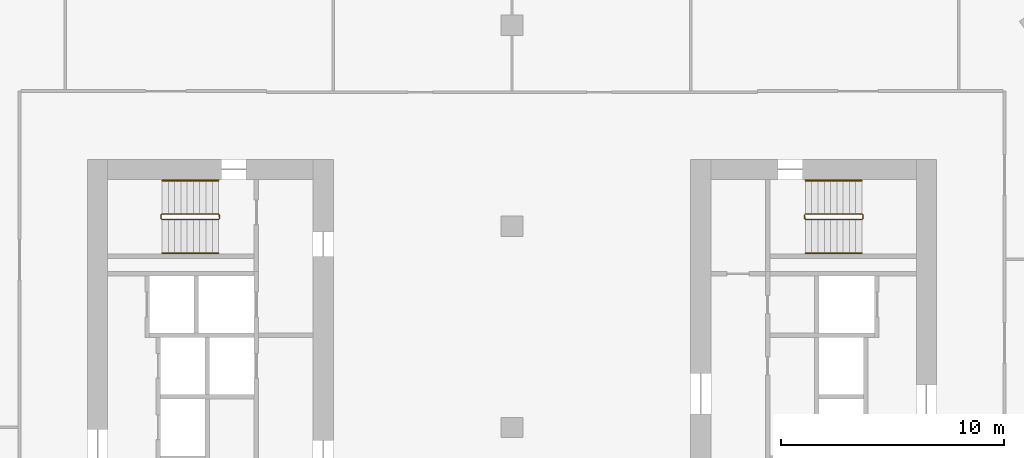
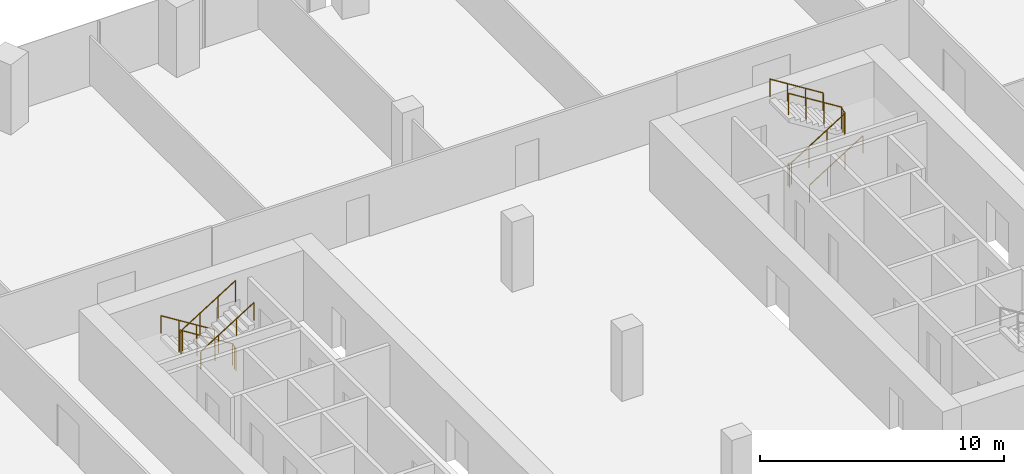
# One storey, part 26 of 27: 6 railings.
"""IFC4 building model written with IfcOpenShell, lengths in metres."""

from ifc_helpers import new_model, si_unit, direction, frame, origin, origin_2d, place, context, subcontext, project, spatial, circle, extrude, material, type_object, element, save


model = new_model("IFC4")

# Units and contexts
model_context = context("Model", 3, precision=1e-05, world=origin(), true_north=direction((0.0, 1.0)))
body_context = subcontext(model_context, "Body", "Model", "MODEL_VIEW")
ifc_project = project(units=[si_unit("LENGTHUNIT", "METRE"), si_unit("AREAUNIT", "SQUARE_METRE"), si_unit("VOLUMEUNIT", "CUBIC_METRE"), si_unit("PLANEANGLEUNIT", "RADIAN"), si_unit("MASSUNIT", "GRAM", prefix="KILO")], contexts=[model_context])

# Site, building, storey
site_placement = place(None, origin())
site = spatial("IfcSite", under=ifc_project, at=site_placement, CompositionType="ELEMENT")
building_placement = place(site_placement, origin())
building = spatial("IfcBuilding", under=site, at=building_placement, Name="Orlundy Tower", CompositionType="ELEMENT")
storey_placement = place(building_placement, frame((0.0, 0.0, 202.60009765625)))
storey = spatial("IfcBuildingStorey", under=building, at=storey_placement, Name="L53", CompositionType="ELEMENT", Elevation=202.60009765625)

# Railings
ifc_material_1 = material(Name="Steel balustrade", Category="steel")
railing_type_1 = type_object("IfcRailingType", Name="Stair Guard 1100", PredefinedType="GUARDRAIL", material=ifc_material_1)
railing_1_placement = place(storey_placement, frame((-13.090087890625, 9.5, 0.0)))
element("IfcRailing", 1, at=railing_1_placement, inside=storey, type_object=railing_type_1, Name="L53 ST-W1 stair guard 1", PredefinedType="GUARDRAIL", context=body_context, shape_type="SweptSolid", body=[
    extrude(circle(Radius=0.02392578125, at=origin_2d()), frame((0.0, 0.0, 1.076171875), z_axis=(0.0, -1.0, 0.0), x_axis=(1.0, 0.0, 0.0)), (0.0, 0.0, 1.0), 0.14990234375),
    extrude(circle(Radius=0.02392578125, at=origin_2d()), frame((0.0, -0.14990234375, 1.076171875), z_axis=(-0.184313129624, 0.739963005698, 0.646902945152), x_axis=(-0.970351222016, -0.241699205484, 0.0)), (0.0, 0.0, 1.0), 0.270263671875),
    extrude(circle(Radius=0.02392578125, at=origin_2d()), frame((-0.0498046875, 0.050048828125, 1.2509765625), z_axis=(-0.847970611238, 0.0, 0.530043245855), x_axis=(0.0, -1.0, 0.0)), (0.0, 0.0, 1.0), 2.971923828125),
    extrude(circle(Radius=0.02392578125, at=origin_2d()), frame((-2.56982421875, 0.050048828125, 2.826171875), z_axis=(-0.707106781187, -0.707106781187, 0.0), x_axis=(0.707106781187, -0.707106781187, 0.0)), (0.0, 0.0, 1.0), 0.07080078125),
    extrude(circle(Radius=0.02392578125, at=origin_2d()), frame((-2.619873046875, 0.0, 2.826171875), z_axis=(0.0, -1.0, 0.0), x_axis=(1.0, 0.0, 0.0)), (0.0, 0.0, 1.0), 0.14990234375),
    extrude(circle(Radius=0.02392578125, at=origin_2d()), frame((-2.619873046875, -0.14990234375, 2.826171875), z_axis=(0.265383341853, -0.265383341853, 0.926899867156), x_axis=(0.707106781187, 0.707106781187, 0.0)), (0.0, 0.0, 1.0), 0.1884765625),
    extrude(circle(Radius=0.02392578125, at=origin_2d()), frame((-2.56982421875, -0.199951171875, 3.0009765625), z_axis=(0.847970611238, 0.0, 0.530043245855), x_axis=(0.0, 1.0, 0.0)), (0.0, 0.0, 1.0), 2.971923828125),
    extrude(circle(Radius=0.02099609375, at=origin_2d()), origin(), (0.0, 0.0, 1.0), 1.052001953125),
    extrude(circle(Radius=0.02099609375, at=origin_2d()), frame((0.0, -0.14990234375, 0.0)), (0.0, 0.0, 1.0), 1.052001953125),
    extrude(circle(Radius=0.02099609375, at=origin_2d()), frame((-0.0498046875, 0.050048828125, 0.1748046875)), (0.0, 0.0, 1.0), 1.052001953125),
    extrude(circle(Radius=0.02099609375, at=origin_2d()), frame((-0.889892578125, 0.050048828125, 0.699951171875)), (0.0, 0.0, 1.0), 1.052001953125),
    extrude(circle(Radius=0.02099609375, at=origin_2d()), frame((-1.729736328125, 0.050048828125, 1.224853515625)), (0.0, 0.0, 1.0), 1.052001953125),
    extrude(circle(Radius=0.02099609375, at=origin_2d()), frame((-2.56982421875, 0.050048828125, 1.75)), (0.0, 0.0, 1.0), 1.052001953125),
    extrude(circle(Radius=0.02099609375, at=origin_2d()), frame((-2.619873046875, 0.0, 1.75)), (0.0, 0.0, 1.0), 1.052001953125),
    extrude(circle(Radius=0.02099609375, at=origin_2d()), frame((-2.619873046875, -0.14990234375, 1.75)), (0.0, 0.0, 1.0), 1.052001953125),
    extrude(circle(Radius=0.02099609375, at=origin_2d()), frame((-2.56982421875, -0.199951171875, 1.9248046875)), (0.0, 0.0, 1.0), 1.052001953125),
    extrude(circle(Radius=0.02099609375, at=origin_2d()), frame((-1.729736328125, -0.199951171875, 2.449951171875)), (0.0, 0.0, 1.0), 1.052001953125),
    extrude(circle(Radius=0.02099609375, at=origin_2d()), frame((-0.889892578125, -0.199951171875, 2.974853515625)), (0.0, 0.0, 1.0), 1.052001953125),
    extrude(circle(Radius=0.02099609375, at=origin_2d()), frame((-0.0498046875, -0.199951171875, 3.5)), (0.0, 0.0, 1.0), 1.052001953125),
])
railing_2_placement = place(storey_placement, frame((13.090087890625, 9.35009765625, 0.0)))
element("IfcRailing", 2, at=railing_2_placement, inside=storey, type_object=railing_type_1, Name="L53 ST-E2 stair guard 1", PredefinedType="GUARDRAIL", context=body_context, shape_type="SweptSolid", body=[
    extrude(circle(Radius=0.02392578125, at=origin_2d()), frame((0.0, 0.0, 1.076171875), z_axis=(0.0, 1.0, 0.0), x_axis=(-1.0, 0.0, 0.0)), (0.0, 0.0, 1.0), 0.14990234375),
    extrude(circle(Radius=0.02392578125, at=origin_2d()), frame((0.0, 0.14990234375, 1.076171875), z_axis=(0.184313129624, -0.739963005698, 0.646902945152), x_axis=(0.970351222016, 0.241699205484, 0.0)), (0.0, 0.0, 1.0), 0.270263671875),
    extrude(circle(Radius=0.02392578125, at=origin_2d()), frame((0.0498046875, -0.050048828125, 1.2509765625), z_axis=(0.847970611238, 0.0, 0.530043245855), x_axis=(0.0, 1.0, 0.0)), (0.0, 0.0, 1.0), 2.971923828125),
    extrude(circle(Radius=0.02392578125, at=origin_2d()), frame((2.56982421875, -0.050048828125, 2.826171875), z_axis=(0.707106781187, 0.707106781187, 0.0), x_axis=(-0.707106781187, 0.707106781187, 0.0)), (0.0, 0.0, 1.0), 0.07080078125),
    extrude(circle(Radius=0.02392578125, at=origin_2d()), frame((2.619873046875, 0.0, 2.826171875), z_axis=(0.0, 1.0, 0.0), x_axis=(-1.0, 0.0, 0.0)), (0.0, 0.0, 1.0), 0.14990234375),
    extrude(circle(Radius=0.02392578125, at=origin_2d()), frame((2.619873046875, 0.14990234375, 2.826171875), z_axis=(-0.265383341853, 0.265383341853, 0.926899867156), x_axis=(-0.707106781187, -0.707106781187, 0.0)), (0.0, 0.0, 1.0), 0.1884765625),
    extrude(circle(Radius=0.02392578125, at=origin_2d()), frame((2.56982421875, 0.199951171875, 3.0009765625), z_axis=(-0.847970611238, 0.0, 0.530043245855), x_axis=(0.0, -1.0, 0.0)), (0.0, 0.0, 1.0), 2.971923828125),
    extrude(circle(Radius=0.02099609375, at=origin_2d()), origin(), (0.0, 0.0, 1.0), 1.052001953125),
    extrude(circle(Radius=0.02099609375, at=origin_2d()), frame((0.0, 0.14990234375, 0.0)), (0.0, 0.0, 1.0), 1.052001953125),
    extrude(circle(Radius=0.02099609375, at=origin_2d()), frame((0.0498046875, -0.050048828125, 0.1748046875)), (0.0, 0.0, 1.0), 1.052001953125),
    extrude(circle(Radius=0.02099609375, at=origin_2d()), frame((0.889892578125, -0.050048828125, 0.699951171875)), (0.0, 0.0, 1.0), 1.052001953125),
    extrude(circle(Radius=0.02099609375, at=origin_2d()), frame((1.729736328125, -0.050048828125, 1.224853515625)), (0.0, 0.0, 1.0), 1.052001953125),
    extrude(circle(Radius=0.02099609375, at=origin_2d()), frame((2.56982421875, -0.050048828125, 1.75)), (0.0, 0.0, 1.0), 1.052001953125),
    extrude(circle(Radius=0.02099609375, at=origin_2d()), frame((2.619873046875, 0.0, 1.75)), (0.0, 0.0, 1.0), 1.052001953125),
    extrude(circle(Radius=0.02099609375, at=origin_2d()), frame((2.619873046875, 0.14990234375, 1.75)), (0.0, 0.0, 1.0), 1.052001953125),
    extrude(circle(Radius=0.02099609375, at=origin_2d()), frame((2.56982421875, 0.199951171875, 1.9248046875)), (0.0, 0.0, 1.0), 1.052001953125),
    extrude(circle(Radius=0.02099609375, at=origin_2d()), frame((1.729736328125, 0.199951171875, 2.449951171875)), (0.0, 0.0, 1.0), 1.052001953125),
    extrude(circle(Radius=0.02099609375, at=origin_2d()), frame((0.889892578125, 0.199951171875, 2.974853515625)), (0.0, 0.0, 1.0), 1.052001953125),
    extrude(circle(Radius=0.02099609375, at=origin_2d()), frame((0.0498046875, 0.199951171875, 3.5)), (0.0, 0.0, 1.0), 1.052001953125),
])
ifc_material_2 = material(Name="Steel handrail", Category="steel")
railing_type_2 = type_object("IfcRailingType", Name="Stair Handrail 900", PredefinedType="HANDRAIL", material=ifc_material_2)
railing_3_placement = place(storey_placement, frame((-13.139892578125, 11.050048828125, 0.1748046875)))
element("IfcRailing", 3, at=railing_3_placement, inside=storey, type_object=railing_type_2, Name="L53 ST-W1 stair handrail 1", PredefinedType="HANDRAIL", context=body_context, shape_type="SweptSolid", body=[
    extrude(circle(Radius=0.02392578125, at=origin_2d()), frame((0.0, 0.0, 0.8759765625), z_axis=(-0.847970611238, 0.0, 0.530043245855), x_axis=(0.0, -1.0, 0.0)), (0.0, 0.0, 1.0), 2.971923828125),
    extrude(circle(Radius=0.02099609375, at=origin_2d()), origin(), (0.0, 0.0, 1.0), 0.851806640625),
    extrude(circle(Radius=0.02099609375, at=origin_2d()), frame((-0.840087890625, 0.0, 0.525146484375)), (0.0, 0.0, 1.0), 0.851806640625),
    extrude(circle(Radius=0.02099609375, at=origin_2d()), frame((-1.679931640625, 0.0, 1.050048828125)), (0.0, 0.0, 1.0), 0.851806640625),
    extrude(circle(Radius=0.02099609375, at=origin_2d()), frame((-2.52001953125, 0.0, 1.5751953125)), (0.0, 0.0, 1.0), 0.851806640625),
])
for number, where, name in (
    (4, (-15.659912109375, 7.800048828125, 1.9248046875), "L53 ST-W1 stair handrail 2"),
    (5, (13.139892578125, 7.800048828125, 0.1748046875), "L53 ST-E2 stair handrail 1"),
):
    element("IfcRailing", number, at=place(storey_placement, frame(where)), inside=storey, type_object=railing_type_2, Name=name, PredefinedType="HANDRAIL", context=body_context, shape_type="SweptSolid", body=[
        extrude(circle(Radius=0.02392578125, at=origin_2d()), frame((0.0, 0.0, 0.8759765625), z_axis=(0.847970611238, 0.0, 0.530043245855), x_axis=(0.0, 1.0, 0.0)), (0.0, 0.0, 1.0), 2.971923828125),
        extrude(circle(Radius=0.02099609375, at=origin_2d()), origin(), (0.0, 0.0, 1.0), 0.851806640625),
        extrude(circle(Radius=0.02099609375, at=origin_2d()), frame((0.840087890625, 0.0, 0.525146484375)), (0.0, 0.0, 1.0), 0.851806640625),
        extrude(circle(Radius=0.02099609375, at=origin_2d()), frame((1.679931640625, 0.0, 1.050048828125)), (0.0, 0.0, 1.0), 0.851806640625),
        extrude(circle(Radius=0.02099609375, at=origin_2d()), frame((2.52001953125, 0.0, 1.5751953125)), (0.0, 0.0, 1.0), 0.851806640625),
    ])
railing_4_placement = place(storey_placement, frame((15.659912109375, 11.050048828125, 1.9248046875)))
element("IfcRailing", 6, at=railing_4_placement, inside=storey, type_object=railing_type_2, Name="L53 ST-E2 stair handrail 2", PredefinedType="HANDRAIL", context=body_context, shape_type="SweptSolid", body=[
    extrude(circle(Radius=0.02392578125, at=origin_2d()), frame((0.0, 0.0, 0.8759765625), z_axis=(-0.847970611238, 0.0, 0.530043245855), x_axis=(0.0, -1.0, 0.0)), (0.0, 0.0, 1.0), 2.971923828125),
    extrude(circle(Radius=0.02099609375, at=origin_2d()), origin(), (0.0, 0.0, 1.0), 0.851806640625),
    extrude(circle(Radius=0.02099609375, at=origin_2d()), frame((-0.840087890625, 0.0, 0.525146484375)), (0.0, 0.0, 1.0), 0.851806640625),
    extrude(circle(Radius=0.02099609375, at=origin_2d()), frame((-1.679931640625, 0.0, 1.050048828125)), (0.0, 0.0, 1.0), 0.851806640625),
    extrude(circle(Radius=0.02099609375, at=origin_2d()), frame((-2.52001953125, 0.0, 1.5751953125)), (0.0, 0.0, 1.0), 0.851806640625),
])

save(model, "model.ifc")
